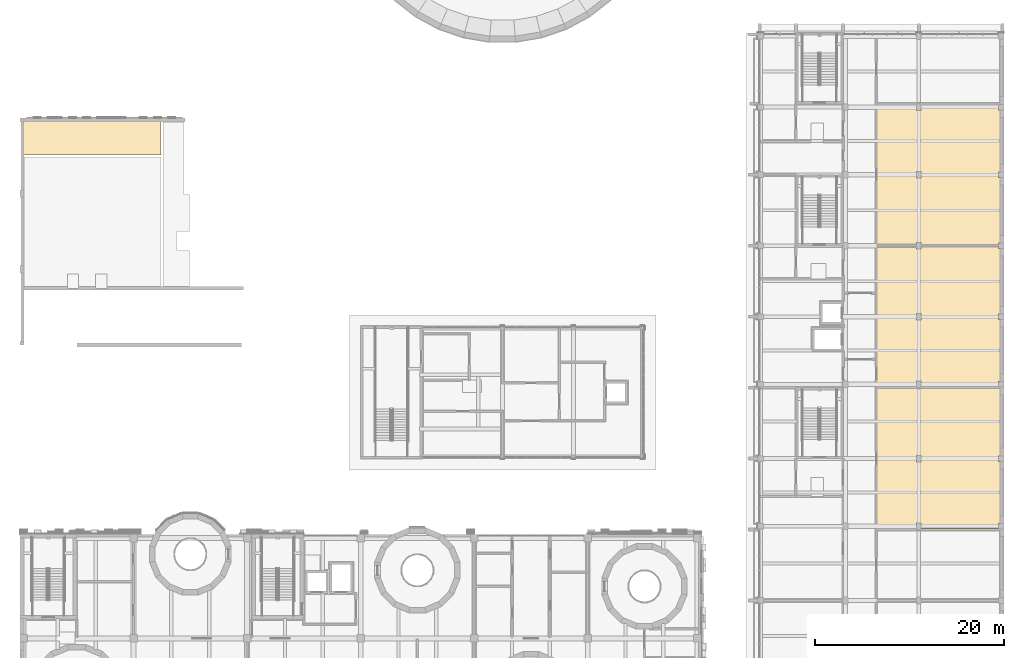
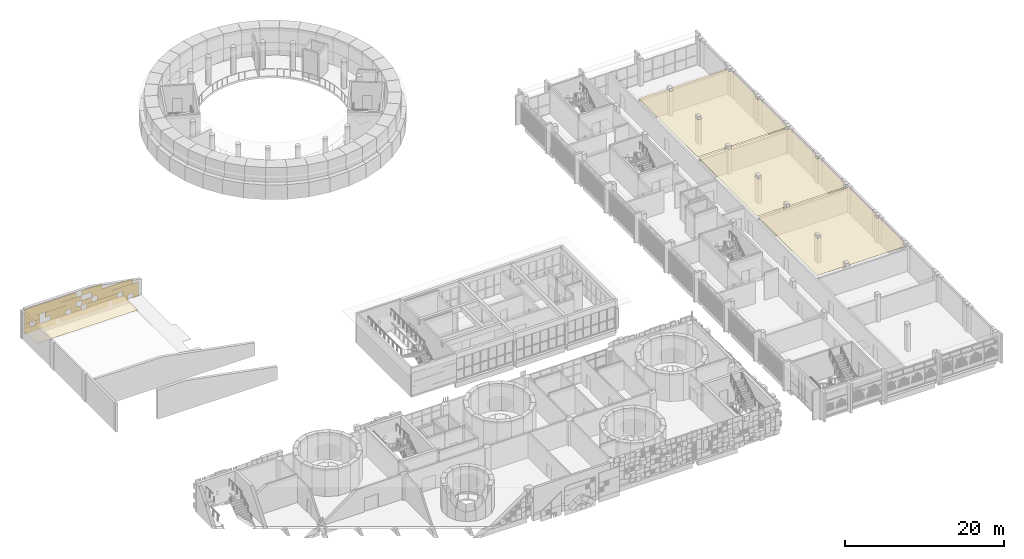
# One storey, part 84 of 92: 5 coverings.
"""IFC4 building model written with IfcOpenShell, lengths in metres."""

from ifc_helpers import new_model, si_unit, direction, frame, origin, origin_2d, place, context, subcontext, project, spatial, polyline, rectangle, outline, extrude, material, layer, layer_set, type_object, element, save


model = new_model("IFC4")

# Units and contexts
model_context = context("Model", 3, precision=1e-05, world=origin(), true_north=direction((0.0, 1.0)))
body_context = subcontext(model_context, "Body", "Model", "MODEL_VIEW")
ifc_project = project(units=[si_unit("LENGTHUNIT", "METRE"), si_unit("AREAUNIT", "SQUARE_METRE"), si_unit("VOLUMEUNIT", "CUBIC_METRE"), si_unit("PLANEANGLEUNIT", "RADIAN"), si_unit("MASSUNIT", "GRAM", prefix="KILO")], contexts=[model_context])

# Site, building, storey
site_placement = place(None, origin())
site = spatial("IfcSite", under=ifc_project, at=site_placement, CompositionType="ELEMENT")
building_placement = place(site_placement, origin())
building = spatial("IfcBuilding", under=site, at=building_placement, Name="Sun Court Science Centre", CompositionType="ELEMENT")
storey_placement = place(building_placement, frame((0.0, 0.0, 11.25)))
storey = spatial("IfcBuildingStorey", under=building, at=storey_placement, Name="L02", CompositionType="ELEMENT", Elevation=11.25)

# Coverings
ifc_material_1 = material(Name="Gypsum board")
ifc_layer_1 = layer(ifc_material_1, 0.030029296875)
ifc_layer_set_1 = layer_set([ifc_layer_1], Name="Gypsum board")
covering_type_1 = type_object("IfcCoveringType", Name="Ceiling suspended 600 module", PredefinedType="CEILING", material=ifc_layer_set_1)
covering_1_placement = place(storey_placement, frame((0.0, 0.0, 1.0576171875)))
element("IfcCovering", 1, at=covering_1_placement, inside=storey, type_object=covering_type_1, Name="L00-073 ceiling", PredefinedType="CEILING", context=body_context, shape_type="SweptSolid", body=[
    extrude(outline(polyline([(0.199951171875, 71.800048828125), (14.89990234375, 71.800048828125), (14.89990234375, 68.10009765625), (0.199951171875, 68.10009765625), (0.199951171875, 71.800048828125)])), origin(), (0.0, 0.0, 1.0), 0.02978515625),
])
covering_2_placement = place(storey_placement, frame((0.0, 0.0, 3.77001953125)))
element("IfcCovering", 2, at=covering_2_placement, inside=storey, type_object=covering_type_1, Name="L02-053 ceiling", PredefinedType="CEILING", context=body_context, shape_type="SweptSolid", body=[
    extrude(outline(polyline([(95.25, 28.60009765625), (95.25, 29.199951171875), (94.75, 29.199951171875), (94.75, 28.60009765625), (90.60009765625, 28.60009765625), (90.60009765625, 43.39990234375), (103.800048828125, 43.39990234375), (103.800048828125, 36.300048828125), (103.39990234375, 36.300048828125), (103.39990234375, 35.699951171875), (103.800048828125, 35.699951171875), (103.800048828125, 29.14990234375), (103.39990234375, 29.14990234375), (103.39990234375, 28.60009765625), (95.25, 28.60009765625)]), holes=[polyline([(95.25, 35.64990234375), (95.25, 36.35009765625), (94.75, 36.35009765625), (94.75, 35.64990234375), (95.25, 35.64990234375)])]), origin(), (0.0, 0.0, 1.0), 0.030029296875),
])
covering_3_placement = place(storey_placement, frame((0.0, 0.0, 3.77001953125)))
element("IfcCovering", 3, at=covering_3_placement, inside=storey, type_object=covering_type_1, Name="L02-054 ceiling", PredefinedType="CEILING", context=body_context, shape_type="SweptSolid", body=[
    extrude(outline(polyline([(95.25, 43.60009765625), (95.25, 44.199951171875), (94.75, 44.199951171875), (94.75, 43.60009765625), (90.60009765625, 43.60009765625), (90.60009765625, 58.39990234375), (94.75, 58.39990234375), (94.75, 58.14990234375), (95.25, 58.14990234375), (95.25, 58.39990234375), (103.39990234375, 58.39990234375), (103.39990234375, 58.199951171875), (103.800048828125, 58.199951171875), (103.800048828125, 51.300048828125), (103.39990234375, 51.300048828125), (103.39990234375, 50.699951171875), (103.800048828125, 50.699951171875), (103.800048828125, 44.14990234375), (103.39990234375, 44.14990234375), (103.39990234375, 43.60009765625), (95.25, 43.60009765625)]), holes=[polyline([(94.75, 50.64990234375), (95.25, 50.64990234375), (95.25, 51.35009765625), (94.75, 51.35009765625), (94.75, 50.64990234375)])]), origin(), (0.0, 0.0, 1.0), 0.030029296875),
])
covering_4_placement = place(storey_placement, frame((0.0, 0.0, 3.77001953125)))
element("IfcCovering", 4, at=covering_4_placement, inside=storey, type_object=covering_type_1, Name="L02-055 ceiling", PredefinedType="CEILING", context=body_context, shape_type="SweptSolid", body=[
    extrude(outline(polyline([(95.25, 58.60009765625), (95.25, 58.85009765625), (94.75, 58.85009765625), (94.75, 58.60009765625), (90.60009765625, 58.60009765625), (90.60009765625, 73.39990234375), (94.75, 73.39990234375), (94.75, 72.800048828125), (95.25, 72.800048828125), (95.25, 73.39990234375), (103.39990234375, 73.39990234375), (103.39990234375, 72.85009765625), (103.800048828125, 72.85009765625), (103.800048828125, 66.300048828125), (103.39990234375, 66.300048828125), (103.39990234375, 65.699951171875), (103.800048828125, 65.699951171875), (103.800048828125, 58.800048828125), (103.39990234375, 58.800048828125), (103.39990234375, 58.60009765625), (95.25, 58.60009765625)]), holes=[polyline([(94.75, 65.64990234375), (95.25, 65.64990234375), (95.25, 66.35009765625), (94.75, 66.35009765625), (94.75, 65.64990234375)])]), origin(), (0.0, 0.0, 1.0), 0.030029296875),
])
ifc_material_2 = material(Name="Red sandstone", Category="masonry")
ifc_layer_2 = layer(ifc_material_2, 0.06005859375)
ifc_layer_set_2 = layer_set([ifc_layer_2], Name="Red sandstone")
covering_type_2 = type_object("IfcCoveringType", Name="Red sandstone wall cladding 750", PredefinedType="CLADDING", material=ifc_layer_set_2)
covering_5_placement = place(storey_placement, frame((0.0, 0.0, -11.25)))
element("IfcCovering", 5, at=covering_5_placement, inside=storey, type_object=covering_type_2, Name="Red sandstone wall cladding theatre-STAGE-north face-L02 L02", PredefinedType="CLADDING", context=body_context, shape_type="SweptSolid", body=[
    extrude(rectangle(XDim=0.739990234375, YDim=0.06005859375, at=origin_2d()), frame((1.050048828125, 72.030029296875, 11.2548828125), z_axis=(0.0, 0.0, 1.0), x_axis=(1.0, 0.0, 0.0)), (0.0, 0.0, 1.0), 0.739990234375),
    extrude(rectangle(XDim=0.739990234375, YDim=0.06005859375, at=origin_2d()), frame((1.800048828125, 72.030029296875, 11.2548828125), z_axis=(0.0, 0.0, 1.0), x_axis=(1.0, 0.0, 0.0)), (0.0, 0.0, 1.0), 0.739990234375),
    extrude(rectangle(XDim=0.739990234375, YDim=0.06005859375, at=origin_2d()), frame((2.550048828125, 72.030029296875, 11.2548828125), z_axis=(0.0, 0.0, 1.0), x_axis=(1.0, 0.0, 0.0)), (0.0, 0.0, 1.0), 0.739990234375),
    extrude(rectangle(XDim=0.739990234375, YDim=0.06005859375, at=origin_2d()), frame((3.300048828125, 72.030029296875, 11.2548828125), z_axis=(0.0, 0.0, 1.0), x_axis=(1.0, 0.0, 0.0)), (0.0, 0.0, 1.0), 0.739990234375),
    extrude(rectangle(XDim=0.739990234375, YDim=0.06005859375, at=origin_2d()), frame((4.050048828125, 72.030029296875, 11.2548828125), z_axis=(0.0, 0.0, 1.0), x_axis=(1.0, 0.0, 0.0)), (0.0, 0.0, 1.0), 0.739990234375),
    extrude(rectangle(XDim=0.739990234375, YDim=0.06005859375, at=origin_2d()), frame((4.800048828125, 72.030029296875, 11.2548828125), z_axis=(0.0, 0.0, 1.0), x_axis=(1.0, 0.0, 0.0)), (0.0, 0.0, 1.0), 0.739990234375),
    extrude(rectangle(XDim=0.739990234375, YDim=0.06005859375, at=origin_2d()), frame((6.300048828125, 72.030029296875, 11.2548828125), z_axis=(0.0, 0.0, 1.0), x_axis=(1.0, 0.0, 0.0)), (0.0, 0.0, 1.0), 0.739990234375),
    extrude(rectangle(XDim=0.739990234375, YDim=0.06005859375, at=origin_2d()), frame((7.050048828125, 72.030029296875, 11.2548828125), z_axis=(0.0, 0.0, 1.0), x_axis=(1.0, 0.0, 0.0)), (0.0, 0.0, 1.0), 0.739990234375),
    extrude(rectangle(XDim=0.739990234375, YDim=0.06005859375, at=origin_2d()), frame((7.800048828125, 72.030029296875, 11.2548828125), z_axis=(0.0, 0.0, 1.0), x_axis=(1.0, 0.0, 0.0)), (0.0, 0.0, 1.0), 0.739990234375),
    extrude(rectangle(XDim=0.739990234375, YDim=0.06005859375, at=origin_2d()), frame((8.550048828125, 72.030029296875, 11.2548828125), z_axis=(0.0, 0.0, 1.0), x_axis=(1.0, 0.0, 0.0)), (0.0, 0.0, 1.0), 0.739990234375),
    extrude(rectangle(XDim=0.739990234375, YDim=0.06005859375, at=origin_2d()), frame((9.300048828125, 72.030029296875, 11.2548828125), z_axis=(0.0, 0.0, 1.0), x_axis=(1.0, 0.0, 0.0)), (0.0, 0.0, 1.0), 0.739990234375),
    extrude(rectangle(XDim=0.739990234375, YDim=0.06005859375, at=origin_2d()), frame((10.050048828125, 72.030029296875, 11.2548828125), z_axis=(0.0, 0.0, 1.0), x_axis=(1.0, 0.0, 0.0)), (0.0, 0.0, 1.0), 0.739990234375),
    extrude(rectangle(XDim=0.739990234375, YDim=0.06005859375, at=origin_2d()), frame((10.800048828125, 72.030029296875, 11.2548828125), z_axis=(0.0, 0.0, 1.0), x_axis=(1.0, 0.0, 0.0)), (0.0, 0.0, 1.0), 0.739990234375),
    extrude(rectangle(XDim=0.739990234375, YDim=0.06005859375, at=origin_2d()), frame((11.550048828125, 72.030029296875, 11.2548828125), z_axis=(0.0, 0.0, 1.0), x_axis=(1.0, 0.0, 0.0)), (0.0, 0.0, 1.0), 0.739990234375),
    extrude(rectangle(XDim=0.739990234375, YDim=0.06005859375, at=origin_2d()), frame((12.300048828125, 72.030029296875, 11.2548828125), z_axis=(0.0, 0.0, 1.0), x_axis=(1.0, 0.0, 0.0)), (0.0, 0.0, 1.0), 0.739990234375),
    extrude(rectangle(XDim=0.739990234375, YDim=0.06005859375, at=origin_2d()), frame((13.800048828125, 72.030029296875, 11.2548828125), z_axis=(0.0, 0.0, 1.0), x_axis=(1.0, 0.0, 0.0)), (0.0, 0.0, 1.0), 0.739990234375),
    extrude(rectangle(XDim=0.739990234375, YDim=0.06005859375, at=origin_2d()), frame((14.550048828125, 72.030029296875, 11.2548828125), z_axis=(0.0, 0.0, 1.0), x_axis=(1.0, 0.0, 0.0)), (0.0, 0.0, 1.0), 0.739990234375),
    extrude(rectangle(XDim=0.739990234375, YDim=0.06005859375, at=origin_2d()), frame((15.300048828125, 72.030029296875, 11.2548828125), z_axis=(0.0, 0.0, 1.0), x_axis=(1.0, 0.0, 0.0)), (0.0, 0.0, 1.0), 0.739990234375),
    extrude(rectangle(XDim=0.739990234375, YDim=0.06005859375, at=origin_2d()), frame((16.800048828125, 72.030029296875, 11.2548828125), z_axis=(0.0, 0.0, 1.0), x_axis=(1.0, 0.0, 0.0)), (0.0, 0.0, 1.0), 0.739990234375),
    extrude(rectangle(XDim=0.739990234375, YDim=0.06005859375, at=origin_2d()), frame((1.050048828125, 72.030029296875, 12.0048828125), z_axis=(0.0, 0.0, 1.0), x_axis=(1.0, 0.0, 0.0)), (0.0, 0.0, 1.0), 0.739990234375),
    extrude(rectangle(XDim=0.739990234375, YDim=0.06005859375, at=origin_2d()), frame((2.550048828125, 72.030029296875, 12.0048828125), z_axis=(0.0, 0.0, 1.0), x_axis=(1.0, 0.0, 0.0)), (0.0, 0.0, 1.0), 0.739990234375),
    extrude(rectangle(XDim=0.739990234375, YDim=0.06005859375, at=origin_2d()), frame((4.800048828125, 72.030029296875, 12.0048828125), z_axis=(0.0, 0.0, 1.0), x_axis=(1.0, 0.0, 0.0)), (0.0, 0.0, 1.0), 0.739990234375),
    extrude(rectangle(XDim=0.739990234375, YDim=0.06005859375, at=origin_2d()), frame((5.550048828125, 72.030029296875, 12.0048828125), z_axis=(0.0, 0.0, 1.0), x_axis=(1.0, 0.0, 0.0)), (0.0, 0.0, 1.0), 0.739990234375),
    extrude(rectangle(XDim=0.739990234375, YDim=0.06005859375, at=origin_2d()), frame((6.300048828125, 72.030029296875, 12.0048828125), z_axis=(0.0, 0.0, 1.0), x_axis=(1.0, 0.0, 0.0)), (0.0, 0.0, 1.0), 0.739990234375),
    extrude(rectangle(XDim=0.739990234375, YDim=0.06005859375, at=origin_2d()), frame((7.800048828125, 72.030029296875, 12.0048828125), z_axis=(0.0, 0.0, 1.0), x_axis=(1.0, 0.0, 0.0)), (0.0, 0.0, 1.0), 0.739990234375),
    extrude(rectangle(XDim=0.739990234375, YDim=0.06005859375, at=origin_2d()), frame((8.550048828125, 72.030029296875, 12.0048828125), z_axis=(0.0, 0.0, 1.0), x_axis=(1.0, 0.0, 0.0)), (0.0, 0.0, 1.0), 0.739990234375),
    extrude(rectangle(XDim=0.739990234375, YDim=0.06005859375, at=origin_2d()), frame((10.050048828125, 72.030029296875, 12.0048828125), z_axis=(0.0, 0.0, 1.0), x_axis=(1.0, 0.0, 0.0)), (0.0, 0.0, 1.0), 0.739990234375),
    extrude(rectangle(XDim=0.739990234375, YDim=0.06005859375, at=origin_2d()), frame((10.800048828125, 72.030029296875, 12.0048828125), z_axis=(0.0, 0.0, 1.0), x_axis=(1.0, 0.0, 0.0)), (0.0, 0.0, 1.0), 0.739990234375),
    extrude(rectangle(XDim=0.739990234375, YDim=0.06005859375, at=origin_2d()), frame((11.550048828125, 72.030029296875, 12.0048828125), z_axis=(0.0, 0.0, 1.0), x_axis=(1.0, 0.0, 0.0)), (0.0, 0.0, 1.0), 0.739990234375),
    extrude(rectangle(XDim=0.739990234375, YDim=0.06005859375, at=origin_2d()), frame((12.300048828125, 72.030029296875, 12.0048828125), z_axis=(0.0, 0.0, 1.0), x_axis=(1.0, 0.0, 0.0)), (0.0, 0.0, 1.0), 0.739990234375),
    extrude(rectangle(XDim=0.739990234375, YDim=0.06005859375, at=origin_2d()), frame((13.050048828125, 72.030029296875, 12.0048828125), z_axis=(0.0, 0.0, 1.0), x_axis=(1.0, 0.0, 0.0)), (0.0, 0.0, 1.0), 0.739990234375),
    extrude(rectangle(XDim=0.739990234375, YDim=0.06005859375, at=origin_2d()), frame((13.800048828125, 72.030029296875, 12.0048828125), z_axis=(0.0, 0.0, 1.0), x_axis=(1.0, 0.0, 0.0)), (0.0, 0.0, 1.0), 0.739990234375),
    extrude(rectangle(XDim=0.739990234375, YDim=0.06005859375, at=origin_2d()), frame((15.300048828125, 72.030029296875, 12.0048828125), z_axis=(0.0, 0.0, 1.0), x_axis=(1.0, 0.0, 0.0)), (0.0, 0.0, 1.0), 0.739990234375),
    extrude(rectangle(XDim=0.739990234375, YDim=0.06005859375, at=origin_2d()), frame((16.050048828125, 72.030029296875, 12.0048828125), z_axis=(0.0, 0.0, 1.0), x_axis=(1.0, 0.0, 0.0)), (0.0, 0.0, 1.0), 0.739990234375),
    extrude(rectangle(XDim=0.739990234375, YDim=0.06005859375, at=origin_2d()), frame((16.800048828125, 72.030029296875, 12.0048828125), z_axis=(0.0, 0.0, 1.0), x_axis=(1.0, 0.0, 0.0)), (0.0, 0.0, 1.0), 0.739990234375),
    extrude(rectangle(XDim=0.739990234375, YDim=0.06005859375, at=origin_2d()), frame((1.050048828125, 72.030029296875, 12.7548828125), z_axis=(0.0, 0.0, 1.0), x_axis=(1.0, 0.0, 0.0)), (0.0, 0.0, 1.0), 0.739990234375),
    extrude(rectangle(XDim=0.739990234375, YDim=0.06005859375, at=origin_2d()), frame((1.800048828125, 72.030029296875, 12.7548828125), z_axis=(0.0, 0.0, 1.0), x_axis=(1.0, 0.0, 0.0)), (0.0, 0.0, 1.0), 0.739990234375),
    extrude(rectangle(XDim=0.739990234375, YDim=0.06005859375, at=origin_2d()), frame((2.550048828125, 72.030029296875, 12.7548828125), z_axis=(0.0, 0.0, 1.0), x_axis=(1.0, 0.0, 0.0)), (0.0, 0.0, 1.0), 0.739990234375),
    extrude(rectangle(XDim=0.739990234375, YDim=0.06005859375, at=origin_2d()), frame((4.050048828125, 72.030029296875, 12.7548828125), z_axis=(0.0, 0.0, 1.0), x_axis=(1.0, 0.0, 0.0)), (0.0, 0.0, 1.0), 0.739990234375),
    extrude(rectangle(XDim=0.739990234375, YDim=0.06005859375, at=origin_2d()), frame((4.800048828125, 72.030029296875, 12.7548828125), z_axis=(0.0, 0.0, 1.0), x_axis=(1.0, 0.0, 0.0)), (0.0, 0.0, 1.0), 0.739990234375),
    extrude(rectangle(XDim=0.739990234375, YDim=0.06005859375, at=origin_2d()), frame((5.550048828125, 72.030029296875, 12.7548828125), z_axis=(0.0, 0.0, 1.0), x_axis=(1.0, 0.0, 0.0)), (0.0, 0.0, 1.0), 0.739990234375),
    extrude(rectangle(XDim=0.739990234375, YDim=0.06005859375, at=origin_2d()), frame((6.300048828125, 72.030029296875, 12.7548828125), z_axis=(0.0, 0.0, 1.0), x_axis=(1.0, 0.0, 0.0)), (0.0, 0.0, 1.0), 0.739990234375),
    extrude(rectangle(XDim=0.739990234375, YDim=0.06005859375, at=origin_2d()), frame((7.050048828125, 72.030029296875, 12.7548828125), z_axis=(0.0, 0.0, 1.0), x_axis=(1.0, 0.0, 0.0)), (0.0, 0.0, 1.0), 0.739990234375),
    extrude(rectangle(XDim=0.739990234375, YDim=0.06005859375, at=origin_2d()), frame((7.800048828125, 72.030029296875, 12.7548828125), z_axis=(0.0, 0.0, 1.0), x_axis=(1.0, 0.0, 0.0)), (0.0, 0.0, 1.0), 0.739990234375),
    extrude(rectangle(XDim=0.739990234375, YDim=0.06005859375, at=origin_2d()), frame((9.300048828125, 72.030029296875, 12.7548828125), z_axis=(0.0, 0.0, 1.0), x_axis=(1.0, 0.0, 0.0)), (0.0, 0.0, 1.0), 0.739990234375),
    extrude(rectangle(XDim=0.739990234375, YDim=0.06005859375, at=origin_2d()), frame((10.050048828125, 72.030029296875, 12.7548828125), z_axis=(0.0, 0.0, 1.0), x_axis=(1.0, 0.0, 0.0)), (0.0, 0.0, 1.0), 0.739990234375),
    extrude(rectangle(XDim=0.739990234375, YDim=0.06005859375, at=origin_2d()), frame((11.550048828125, 72.030029296875, 12.7548828125), z_axis=(0.0, 0.0, 1.0), x_axis=(1.0, 0.0, 0.0)), (0.0, 0.0, 1.0), 0.739990234375),
    extrude(rectangle(XDim=0.739990234375, YDim=0.06005859375, at=origin_2d()), frame((12.300048828125, 72.030029296875, 12.7548828125), z_axis=(0.0, 0.0, 1.0), x_axis=(1.0, 0.0, 0.0)), (0.0, 0.0, 1.0), 0.739990234375),
    extrude(rectangle(XDim=0.739990234375, YDim=0.06005859375, at=origin_2d()), frame((13.050048828125, 72.030029296875, 12.7548828125), z_axis=(0.0, 0.0, 1.0), x_axis=(1.0, 0.0, 0.0)), (0.0, 0.0, 1.0), 0.739990234375),
    extrude(rectangle(XDim=0.739990234375, YDim=0.06005859375, at=origin_2d()), frame((13.800048828125, 72.030029296875, 12.7548828125), z_axis=(0.0, 0.0, 1.0), x_axis=(1.0, 0.0, 0.0)), (0.0, 0.0, 1.0), 0.739990234375),
    extrude(rectangle(XDim=0.739990234375, YDim=0.06005859375, at=origin_2d()), frame((14.550048828125, 72.030029296875, 12.7548828125), z_axis=(0.0, 0.0, 1.0), x_axis=(1.0, 0.0, 0.0)), (0.0, 0.0, 1.0), 0.739990234375),
    extrude(rectangle(XDim=0.739990234375, YDim=0.06005859375, at=origin_2d()), frame((15.300048828125, 72.030029296875, 12.7548828125), z_axis=(0.0, 0.0, 1.0), x_axis=(1.0, 0.0, 0.0)), (0.0, 0.0, 1.0), 0.739990234375),
    extrude(rectangle(XDim=0.739990234375, YDim=0.06005859375, at=origin_2d()), frame((16.050048828125, 72.030029296875, 12.7548828125), z_axis=(0.0, 0.0, 1.0), x_axis=(1.0, 0.0, 0.0)), (0.0, 0.0, 1.0), 0.739990234375),
    extrude(rectangle(XDim=0.739990234375, YDim=0.06005859375, at=origin_2d()), frame((16.800048828125, 72.030029296875, 12.7548828125), z_axis=(0.0, 0.0, 1.0), x_axis=(1.0, 0.0, 0.0)), (0.0, 0.0, 1.0), 0.739990234375),
    extrude(rectangle(XDim=0.739990234375, YDim=0.06005859375, at=origin_2d()), frame((1.050048828125, 72.030029296875, 13.5048828125), z_axis=(0.0, 0.0, 1.0), x_axis=(1.0, 0.0, 0.0)), (0.0, 0.0, 1.0), 0.739990234375),
    extrude(rectangle(XDim=0.739990234375, YDim=0.06005859375, at=origin_2d()), frame((1.800048828125, 72.030029296875, 13.5048828125), z_axis=(0.0, 0.0, 1.0), x_axis=(1.0, 0.0, 0.0)), (0.0, 0.0, 1.0), 0.739990234375),
    extrude(rectangle(XDim=0.739990234375, YDim=0.06005859375, at=origin_2d()), frame((2.550048828125, 72.030029296875, 13.5048828125), z_axis=(0.0, 0.0, 1.0), x_axis=(1.0, 0.0, 0.0)), (0.0, 0.0, 1.0), 0.739990234375),
    extrude(rectangle(XDim=0.739990234375, YDim=0.06005859375, at=origin_2d()), frame((3.300048828125, 72.030029296875, 13.5048828125), z_axis=(0.0, 0.0, 1.0), x_axis=(1.0, 0.0, 0.0)), (0.0, 0.0, 1.0), 0.739990234375),
    extrude(rectangle(XDim=0.739990234375, YDim=0.06005859375, at=origin_2d()), frame((4.050048828125, 72.030029296875, 13.5048828125), z_axis=(0.0, 0.0, 1.0), x_axis=(1.0, 0.0, 0.0)), (0.0, 0.0, 1.0), 0.739990234375),
    extrude(rectangle(XDim=0.739990234375, YDim=0.06005859375, at=origin_2d()), frame((4.800048828125, 72.030029296875, 13.5048828125), z_axis=(0.0, 0.0, 1.0), x_axis=(1.0, 0.0, 0.0)), (0.0, 0.0, 1.0), 0.739990234375),
    extrude(rectangle(XDim=0.739990234375, YDim=0.06005859375, at=origin_2d()), frame((5.550048828125, 72.030029296875, 13.5048828125), z_axis=(0.0, 0.0, 1.0), x_axis=(1.0, 0.0, 0.0)), (0.0, 0.0, 1.0), 0.739990234375),
    extrude(rectangle(XDim=0.739990234375, YDim=0.06005859375, at=origin_2d()), frame((6.300048828125, 72.030029296875, 13.5048828125), z_axis=(0.0, 0.0, 1.0), x_axis=(1.0, 0.0, 0.0)), (0.0, 0.0, 1.0), 0.739990234375),
    extrude(rectangle(XDim=0.739990234375, YDim=0.06005859375, at=origin_2d()), frame((7.050048828125, 72.030029296875, 13.5048828125), z_axis=(0.0, 0.0, 1.0), x_axis=(1.0, 0.0, 0.0)), (0.0, 0.0, 1.0), 0.739990234375),
    extrude(rectangle(XDim=0.739990234375, YDim=0.06005859375, at=origin_2d()), frame((7.800048828125, 72.030029296875, 13.5048828125), z_axis=(0.0, 0.0, 1.0), x_axis=(1.0, 0.0, 0.0)), (0.0, 0.0, 1.0), 0.739990234375),
    extrude(rectangle(XDim=0.739990234375, YDim=0.06005859375, at=origin_2d()), frame((8.550048828125, 72.030029296875, 13.5048828125), z_axis=(0.0, 0.0, 1.0), x_axis=(1.0, 0.0, 0.0)), (0.0, 0.0, 1.0), 0.739990234375),
    extrude(rectangle(XDim=0.739990234375, YDim=0.06005859375, at=origin_2d()), frame((10.800048828125, 72.030029296875, 13.5048828125), z_axis=(0.0, 0.0, 1.0), x_axis=(1.0, 0.0, 0.0)), (0.0, 0.0, 1.0), 0.739990234375),
    extrude(rectangle(XDim=0.739990234375, YDim=0.06005859375, at=origin_2d()), frame((11.550048828125, 72.030029296875, 13.5048828125), z_axis=(0.0, 0.0, 1.0), x_axis=(1.0, 0.0, 0.0)), (0.0, 0.0, 1.0), 0.739990234375),
    extrude(rectangle(XDim=0.739990234375, YDim=0.06005859375, at=origin_2d()), frame((12.300048828125, 72.030029296875, 13.5048828125), z_axis=(0.0, 0.0, 1.0), x_axis=(1.0, 0.0, 0.0)), (0.0, 0.0, 1.0), 0.739990234375),
    extrude(rectangle(XDim=0.739990234375, YDim=0.06005859375, at=origin_2d()), frame((13.050048828125, 72.030029296875, 13.5048828125), z_axis=(0.0, 0.0, 1.0), x_axis=(1.0, 0.0, 0.0)), (0.0, 0.0, 1.0), 0.739990234375),
    extrude(rectangle(XDim=0.739990234375, YDim=0.06005859375, at=origin_2d()), frame((13.800048828125, 72.030029296875, 13.5048828125), z_axis=(0.0, 0.0, 1.0), x_axis=(1.0, 0.0, 0.0)), (0.0, 0.0, 1.0), 0.739990234375),
    extrude(rectangle(XDim=0.739990234375, YDim=0.06005859375, at=origin_2d()), frame((14.550048828125, 72.030029296875, 13.5048828125), z_axis=(0.0, 0.0, 1.0), x_axis=(1.0, 0.0, 0.0)), (0.0, 0.0, 1.0), 0.739990234375),
    extrude(rectangle(XDim=0.739990234375, YDim=0.06005859375, at=origin_2d()), frame((15.300048828125, 72.030029296875, 13.5048828125), z_axis=(0.0, 0.0, 1.0), x_axis=(1.0, 0.0, 0.0)), (0.0, 0.0, 1.0), 0.739990234375),
    extrude(rectangle(XDim=0.739990234375, YDim=0.06005859375, at=origin_2d()), frame((16.050048828125, 72.030029296875, 13.5048828125), z_axis=(0.0, 0.0, 1.0), x_axis=(1.0, 0.0, 0.0)), (0.0, 0.0, 1.0), 0.739990234375),
    extrude(rectangle(XDim=0.739990234375, YDim=0.06005859375, at=origin_2d()), frame((1.050048828125, 72.030029296875, 14.2548828125), z_axis=(0.0, 0.0, 1.0), x_axis=(1.0, 0.0, 0.0)), (0.0, 0.0, 1.0), 0.739990234375),
    extrude(rectangle(XDim=0.739990234375, YDim=0.06005859375, at=origin_2d()), frame((1.800048828125, 72.030029296875, 14.2548828125), z_axis=(0.0, 0.0, 1.0), x_axis=(1.0, 0.0, 0.0)), (0.0, 0.0, 1.0), 0.739990234375),
    extrude(rectangle(XDim=0.739990234375, YDim=0.06005859375, at=origin_2d()), frame((2.550048828125, 72.030029296875, 14.2548828125), z_axis=(0.0, 0.0, 1.0), x_axis=(1.0, 0.0, 0.0)), (0.0, 0.0, 1.0), 0.739990234375),
    extrude(rectangle(XDim=0.739990234375, YDim=0.06005859375, at=origin_2d()), frame((3.300048828125, 72.030029296875, 14.2548828125), z_axis=(0.0, 0.0, 1.0), x_axis=(1.0, 0.0, 0.0)), (0.0, 0.0, 1.0), 0.739990234375),
    extrude(rectangle(XDim=0.739990234375, YDim=0.06005859375, at=origin_2d()), frame((4.050048828125, 72.030029296875, 14.2548828125), z_axis=(0.0, 0.0, 1.0), x_axis=(1.0, 0.0, 0.0)), (0.0, 0.0, 1.0), 0.739990234375),
    extrude(rectangle(XDim=0.739990234375, YDim=0.06005859375, at=origin_2d()), frame((4.800048828125, 72.030029296875, 14.2548828125), z_axis=(0.0, 0.0, 1.0), x_axis=(1.0, 0.0, 0.0)), (0.0, 0.0, 1.0), 0.739990234375),
    extrude(rectangle(XDim=0.739990234375, YDim=0.06005859375, at=origin_2d()), frame((5.550048828125, 72.030029296875, 14.2548828125), z_axis=(0.0, 0.0, 1.0), x_axis=(1.0, 0.0, 0.0)), (0.0, 0.0, 1.0), 0.739990234375),
    extrude(rectangle(XDim=0.739990234375, YDim=0.06005859375, at=origin_2d()), frame((6.300048828125, 72.030029296875, 14.2548828125), z_axis=(0.0, 0.0, 1.0), x_axis=(1.0, 0.0, 0.0)), (0.0, 0.0, 1.0), 0.739990234375),
    extrude(rectangle(XDim=0.739990234375, YDim=0.06005859375, at=origin_2d()), frame((7.050048828125, 72.030029296875, 14.2548828125), z_axis=(0.0, 0.0, 1.0), x_axis=(1.0, 0.0, 0.0)), (0.0, 0.0, 1.0), 0.739990234375),
    extrude(rectangle(XDim=0.739990234375, YDim=0.06005859375, at=origin_2d()), frame((7.800048828125, 72.030029296875, 14.2548828125), z_axis=(0.0, 0.0, 1.0), x_axis=(1.0, 0.0, 0.0)), (0.0, 0.0, 1.0), 0.739990234375),
    extrude(rectangle(XDim=0.739990234375, YDim=0.06005859375, at=origin_2d()), frame((9.300048828125, 72.030029296875, 14.2548828125), z_axis=(0.0, 0.0, 1.0), x_axis=(1.0, 0.0, 0.0)), (0.0, 0.0, 1.0), 0.739990234375),
    extrude(rectangle(XDim=0.739990234375, YDim=0.06005859375, at=origin_2d()), frame((10.050048828125, 72.030029296875, 14.2548828125), z_axis=(0.0, 0.0, 1.0), x_axis=(1.0, 0.0, 0.0)), (0.0, 0.0, 1.0), 0.739990234375),
    extrude(rectangle(XDim=0.739990234375, YDim=0.06005859375, at=origin_2d()), frame((10.800048828125, 72.030029296875, 14.2548828125), z_axis=(0.0, 0.0, 1.0), x_axis=(1.0, 0.0, 0.0)), (0.0, 0.0, 1.0), 0.739990234375),
    extrude(rectangle(XDim=0.739990234375, YDim=0.06005859375, at=origin_2d()), frame((11.550048828125, 72.030029296875, 14.2548828125), z_axis=(0.0, 0.0, 1.0), x_axis=(1.0, 0.0, 0.0)), (0.0, 0.0, 1.0), 0.739990234375),
])

save(model, "model.ifc")
